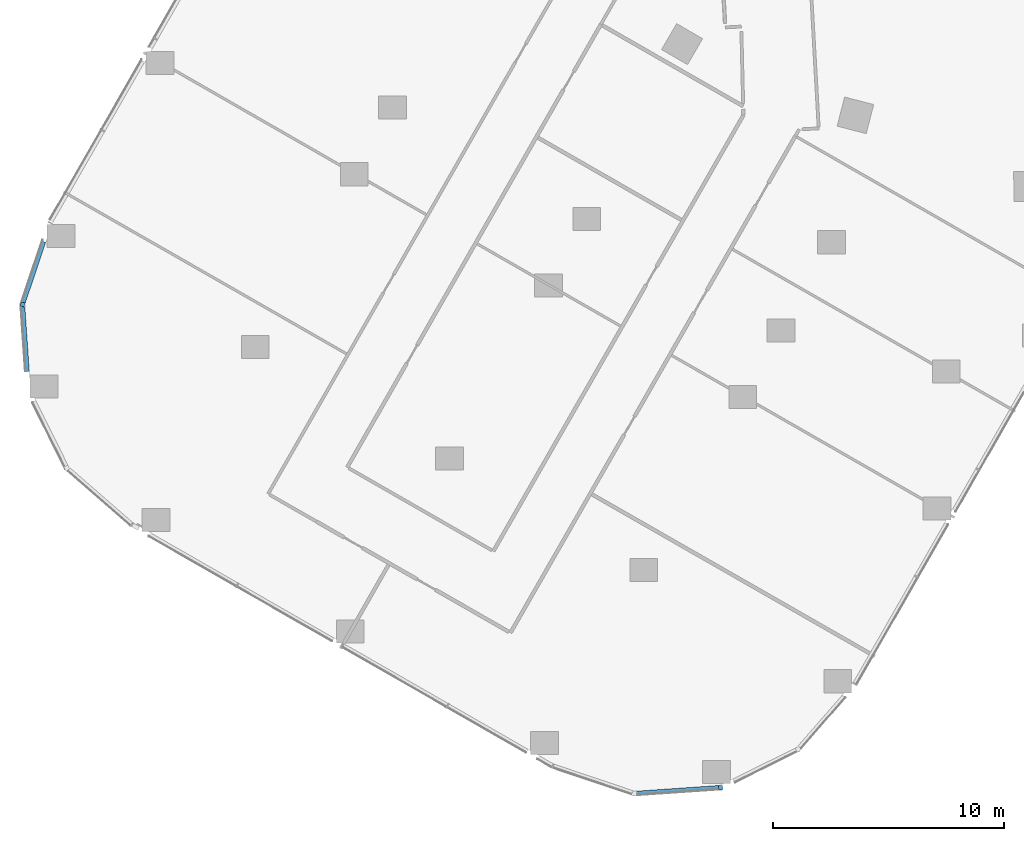
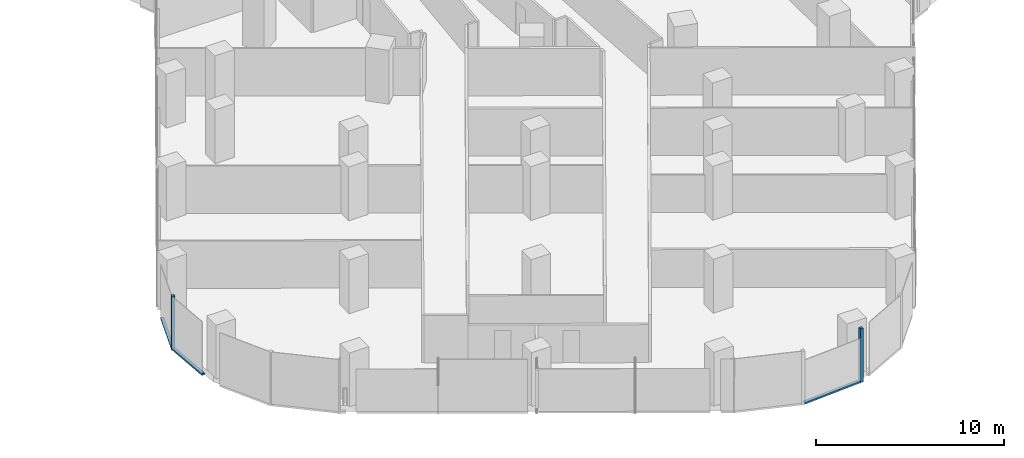
# One storey, part 3 of 35: 5 members, 3 elements without a shape of their own.
"""IFC4 building model written with IfcOpenShell, lengths in metres."""

from ifc_helpers import new_model, si_unit, direction, frame, origin, origin_2d, place, context, subcontext, project, spatial, rectangle, extrude, material, material_profile, profile_set, type_object, element, aggregate, save


model = new_model("IFC4")

# Units and contexts
model_context = context("Model", 3, precision=1e-05, world=origin(), true_north=direction((0.0, 1.0)))
body_context = subcontext(model_context, "Body", "Model", "MODEL_VIEW")
ifc_project = project(units=[si_unit("LENGTHUNIT", "METRE"), si_unit("AREAUNIT", "SQUARE_METRE"), si_unit("VOLUMEUNIT", "CUBIC_METRE"), si_unit("PLANEANGLEUNIT", "RADIAN"), si_unit("MASSUNIT", "GRAM", prefix="KILO")], contexts=[model_context])

# Site, building, storey
site_placement = place(None, origin())
site = spatial("IfcSite", under=ifc_project, at=site_placement, CompositionType="ELEMENT")
building_placement = place(site_placement, origin())
building = spatial("IfcBuilding", under=site, at=building_placement, Name="Orlundy Tower", CompositionType="ELEMENT")
storey_placement = place(building_placement, frame((0.0, 0.0, 116.199951171875)))
storey = spatial("IfcBuildingStorey", under=building, at=storey_placement, Name="L29", CompositionType="ELEMENT", Elevation=116.199951171875)

# Curtain wall, member
ifc_material_1 = material(Name="Aluminium bronze anodised", Category="aluminium")
curtain_wall_type = type_object("IfcCurtainWallType", Name="CW1 wall", PredefinedType="NOTDEFINED", material=ifc_material_1)
curtain_wall_1_placement = place(storey_placement, origin())
curtain_wall_1 = element("IfcCurtainWall", 1, at=curtain_wall_1_placement, inside=storey, type_object=curtain_wall_type, Name="CW1 run 05", PredefinedType="NOTDEFINED")
ifc_material_2 = material(Name="Aluminium bronze anodised", Category="aluminium")
ifc_material_profile_1 = material_profile(ifc_material_2, rectangle(XDim=0.179931640625, YDim=0.179931640625, at=origin_2d()), Name="CW1 corner post 180x180")
ifc_profile_set_1 = profile_set([ifc_material_profile_1], Name="Aluminium bronze anodised")
member_type_1 = type_object("IfcMemberType", Name="CW1 corner post 180x180", PredefinedType="MULLION", material=ifc_profile_set_1)
member_1_placement = place(storey_placement, frame((-13.256103515625, -57.8544921875, -0.39990234375), z_axis=(0.0, 0.0, 1.0), x_axis=(0.068524326451, -0.99764944579, 0.0)))
member_1 = element("IfcMember", 2, at=member_1_placement, type_object=member_type_1, Name="CW1 mullion 16", PredefinedType="MULLION", context=body_context, shape_type="SweptSolid", body=[
    extrude(rectangle(XDim=0.179931640625, YDim=0.179931640625, at=origin_2d()), origin(), (0.0, 0.0, 1.0), 3.5),
])

curtain_wall_2_placement = place(storey_placement, origin())
curtain_wall_2 = element("IfcCurtainWall", 3, at=curtain_wall_2_placement, inside=storey, type_object=curtain_wall_type, Name="CW1 run 011", PredefinedType="NOTDEFINED")
member_2_placement = place(storey_placement, frame((-43.49609375, -36.92626953125, -0.39990234375), z_axis=(0.0, 0.0, 1.0), x_axis=(-0.947816641566, 0.318815956268, 0.0)))
member_2 = element("IfcMember", 4, at=member_2_placement, type_object=member_type_1, Name="CW1 mullion 25", PredefinedType="MULLION", context=body_context, shape_type="SweptSolid", body=[
    extrude(rectangle(XDim=0.179931640625, YDim=0.179931640625, at=origin_2d()), origin(), (0.0, 0.0, 1.0), 3.5),
])

# Member
ifc_material_3 = material(Name="Aluminium bronze anodised", Category="aluminium")
ifc_material_profile_2 = material_profile(ifc_material_3, rectangle(XDim=0.179931640625, YDim=0.1201171875, at=origin_2d()), Name="CW1 transom 180x120")
ifc_profile_set_2 = profile_set([ifc_material_profile_2], Name="Aluminium bronze anodised")
member_type_2 = type_object("IfcMemberType", Name="CW1 transom 180x120", PredefinedType="USERDEFINED", material=ifc_profile_set_2)
member_3_placement = place(storey_placement, frame((-13.345703125, -57.86083984375, -0.33984375), z_axis=(-0.997653514019, -0.068465071137, 0.0), x_axis=(0.068465071137, -0.997653514019, 0.0)))
member_3 = element("IfcMember", 5, at=member_3_placement, type_object=member_type_2, Name="CW1 transom", ObjectType="TRANSOM", PredefinedType="USERDEFINED", context=body_context, shape_type="SweptSolid", body=[
    extrude(rectangle(XDim=0.179931640625, YDim=0.1201171875, at=origin_2d()), origin(), (0.0, 0.0, 1.0), 3.55517578125),
])

aggregate(curtain_wall_1, [member_1, member_3])

# Curtain wall, member
curtain_wall_3_placement = place(storey_placement, origin())
curtain_wall_3 = element("IfcCurtainWall", 6, at=curtain_wall_3_placement, inside=storey, type_object=curtain_wall_type, Name="CW1 run 010", PredefinedType="NOTDEFINED")
member_4_placement = place(storey_placement, frame((-43.29736328125, -39.8291015625, -0.33984375), z_axis=(-0.068235990072, 0.997669208535, 0.0), x_axis=(-0.997669208535, -0.068235990072, 0.0)))
member_4 = element("IfcMember", 7, at=member_4_placement, type_object=member_type_2, Name="CW1 transom", ObjectType="TRANSOM", PredefinedType="USERDEFINED", context=body_context, shape_type="SweptSolid", body=[
    extrude(rectangle(XDim=0.179931640625, YDim=0.1201171875, at=origin_2d()), origin(), (0.0, 0.0, 1.0), 2.812255859375),
])
aggregate(curtain_wall_3, [member_4])

# Member
member_5_placement = place(storey_placement, frame((-43.46728515625, -36.841064453125, -0.33984375), z_axis=(0.318784984318, 0.947827059, 0.0), x_axis=(-0.947827059, 0.318784984318, 0.0)))
member_5 = element("IfcMember", 8, at=member_5_placement, type_object=member_type_2, Name="CW1 transom", ObjectType="TRANSOM", PredefinedType="USERDEFINED", context=body_context, shape_type="SweptSolid", body=[
    extrude(rectangle(XDim=0.179931640625, YDim=0.1201171875, at=origin_2d()), origin(), (0.0, 0.0, 1.0), 2.77685546875),
])

aggregate(curtain_wall_2, [member_2, member_5])

save(model, "model.ifc")
